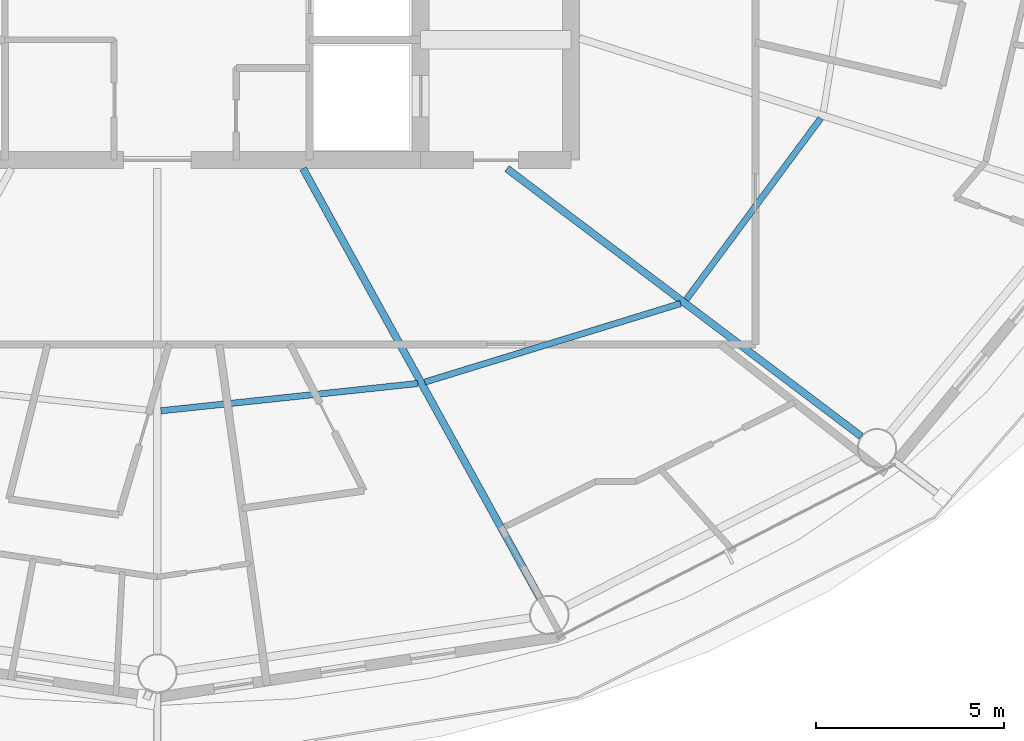
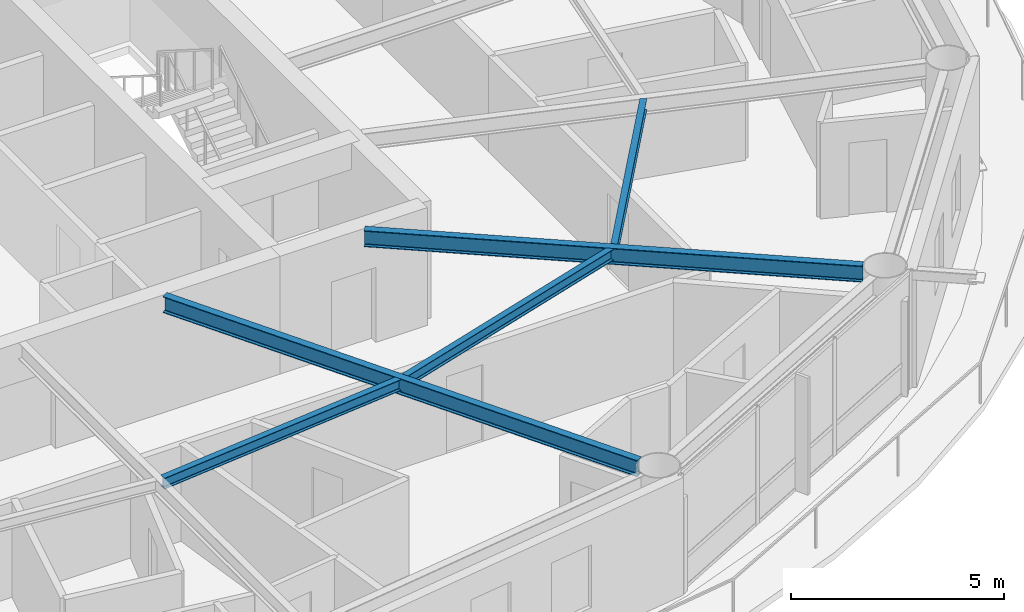
# One storey, part 6 of 30: 5 beams.
"""IFC4 building model written with IfcOpenShell, lengths in metres."""

from ifc_helpers import new_model, si_unit, direction, frame, origin, origin_2d, place, context, subcontext, project, spatial, i_section, extrude, material, material_profile, profile_set, type_object, element, save


model = new_model("IFC4")

# Units and contexts
model_context = context("Model", 3, precision=1e-05, world=origin(), true_north=direction((0.0, 1.0)))
body_context = subcontext(model_context, "Body", "Model", "MODEL_VIEW")
ifc_project = project(units=[si_unit("LENGTHUNIT", "METRE"), si_unit("AREAUNIT", "SQUARE_METRE"), si_unit("VOLUMEUNIT", "CUBIC_METRE"), si_unit("PLANEANGLEUNIT", "RADIAN"), si_unit("MASSUNIT", "GRAM", prefix="KILO")], contexts=[model_context])

# Site, building, storey
site_placement = place(None, origin())
site = spatial("IfcSite", under=ifc_project, at=site_placement, CompositionType="ELEMENT")
building_placement = place(site_placement, origin())
building = spatial("IfcBuilding", under=site, at=building_placement, Name="Sarneth Arch Tower", CompositionType="ELEMENT")
storey_placement = place(building_placement, frame((0.0, 0.0, 161.39990234375)))
storey = spatial("IfcBuildingStorey", under=building, at=storey_placement, Name="L40", CompositionType="ELEMENT", Elevation=161.39990234375)

# Beams
ifc_material_1 = material(Name="Steel S355", Category="steel")
ifc_material_profile_1 = material_profile(ifc_material_1, i_section(OverallWidth=0.1669921875, OverallDepth=0.31689453125, WebThickness=0.007568359375, FlangeThickness=0.01318359375, FilletRadius=0.012939453125, at=origin_2d()), Name="W310x52")
ifc_profile_set_1 = profile_set([ifc_material_profile_1], Name="Steel S355")
beam_type_1 = type_object("IfcBeamType", Name="BM-JOIST-310B", PredefinedType="JOIST", material=ifc_profile_set_1)
beam_1_placement = place(storey_placement, frame((48.095947265625, 28.53515625, 3.2216796875), z_axis=(0.994407831942, 0.105608066799, 0.0), x_axis=(-0.105608066799, 0.994407831942, 0.0)))
element("IfcBeam", 1, at=beam_1_placement, inside=storey, type_object=beam_type_1, Name="L40 Secondary floor joist 13", PredefinedType="JOIST", context=body_context, shape_type="SweptSolid", body=[
    extrude(i_section(OverallWidth=0.1669921875, OverallDepth=0.31689453125, WebThickness=0.007568359375, FlangeThickness=0.01318359375, FilletRadius=0.012939453125, at=origin_2d()), origin(), (0.0, 0.0, 1.0), 6.8681640625),
])
beam_2_placement = place(storey_placement, frame((55.114013671875, 29.299072265625, 3.2216796875), z_axis=(0.955929549608, 0.293596144707, 0.0), x_axis=(-0.293596144707, 0.955929549608, 0.0)))
element("IfcBeam", 2, at=beam_2_placement, inside=storey, type_object=beam_type_1, Name="L40 Secondary floor joist 14", PredefinedType="JOIST", context=body_context, shape_type="SweptSolid", body=[
    extrude(i_section(OverallWidth=0.1669921875, OverallDepth=0.31689453125, WebThickness=0.007568359375, FlangeThickness=0.01318359375, FilletRadius=0.012939453125, at=origin_2d()), origin(), (0.0, 0.0, 1.0), 7.1123046875),
])
beam_3_placement = place(storey_placement, frame((62.062744140625, 31.4931640625, 3.2216796875), z_axis=(0.595933334016, 0.803033910497, 0.0), x_axis=(-0.803033910497, 0.595933334016, 0.0)))
element("IfcBeam", 3, at=beam_3_placement, inside=storey, type_object=beam_type_1, Name="L40 Secondary floor joist 15", PredefinedType="JOIST", context=body_context, shape_type="SweptSolid", body=[
    extrude(i_section(OverallWidth=0.1669921875, OverallDepth=0.31689453125, WebThickness=0.007568359375, FlangeThickness=0.01318359375, FilletRadius=0.012939453125, at=origin_2d()), origin(), (0.0, 0.0, 1.0), 5.99560546875),
])
ifc_material_2 = material(Name="Steel S355", Category="steel")
ifc_material_profile_2 = material_profile(ifc_material_2, i_section(OverallWidth=0.193115234375, OverallDepth=0.466064453125, WebThickness=0.011474609375, FlangeThickness=0.01904296875, FilletRadius=0.01806640625, at=origin_2d()), Name="W460x97")
ifc_profile_set_2 = profile_set([ifc_material_profile_2], Name="Steel S355")
beam_type_2 = type_object("IfcBeamType", Name="BM-RAD-460C", PredefinedType="BEAM", material=ifc_profile_set_2)
beam_4_placement = place(storey_placement, frame((51.875, 34.97509765625, 3.147216796875), z_axis=(0.483004525121, -0.87561785541, 0.0), x_axis=(0.87561785541, 0.483004525121, 0.0)))
element("IfcBeam", 4, at=beam_4_placement, inside=storey, type_object=beam_type_2, Name="L40 Radial floor girder 14", PredefinedType="BEAM", context=body_context, shape_type="SweptSolid", body=[
    extrude(i_section(OverallWidth=0.193115234375, OverallDepth=0.466064453125, WebThickness=0.011474609375, FlangeThickness=0.01904296875, FilletRadius=0.01806640625, at=origin_2d()), origin(), (0.0, 0.0, 1.0), 13.029296875),
])
beam_5_placement = place(storey_placement, frame((57.29541015625, 34.97509765625, 3.147216796875), z_axis=(0.797786205076, -0.602940437349, 0.0), x_axis=(0.602940437349, 0.797786205076, 0.0)))
element("IfcBeam", 5, at=beam_5_placement, inside=storey, type_object=beam_type_2, Name="L40 Radial floor girder 15", PredefinedType="BEAM", context=body_context, shape_type="SweptSolid", body=[
    extrude(i_section(OverallWidth=0.193115234375, OverallDepth=0.466064453125, WebThickness=0.011474609375, FlangeThickness=0.01904296875, FilletRadius=0.01806640625, at=origin_2d()), origin(), (0.0, 0.0, 1.0), 11.806884765625),
])

save(model, "model.ifc")
